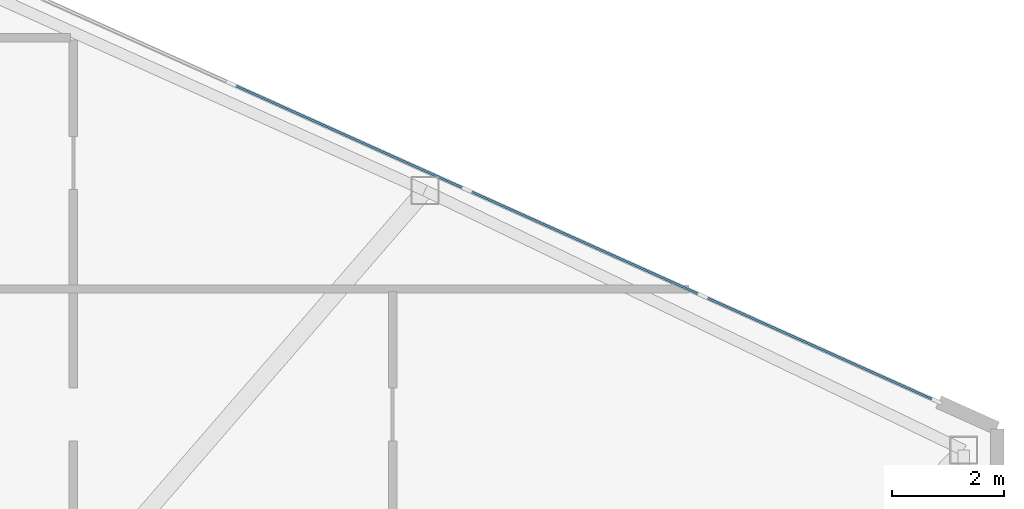
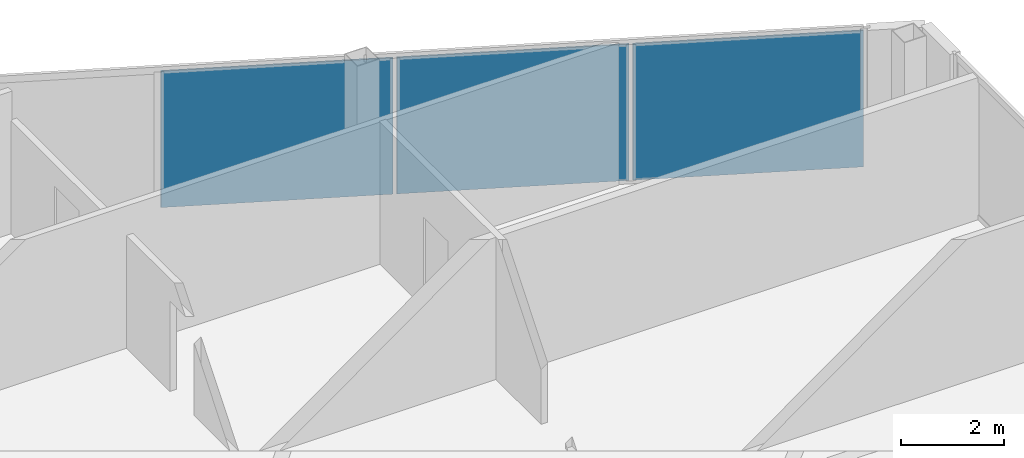
# One storey, part 18 of 27: 3 plates, 1 element without a shape of its own.
"""IFC4 building model written with IfcOpenShell, lengths in metres."""

from ifc_helpers import new_model, si_unit, direction, frame, origin, origin_2d, place, context, subcontext, project, spatial, rectangle, extrude, source, transform, mapped, material, layer, layer_set, type_object, type_shapes, element, aggregate, save


model = new_model("IFC4")

# Units and contexts
model_context = context("Model", 3, precision=1e-05, world=origin(), true_north=direction((0.0, 1.0)))
body_context = subcontext(model_context, "Body", "Model", "MODEL_VIEW")
ifc_project = project(units=[si_unit("LENGTHUNIT", "METRE"), si_unit("AREAUNIT", "SQUARE_METRE"), si_unit("VOLUMEUNIT", "CUBIC_METRE"), si_unit("PLANEANGLEUNIT", "RADIAN"), si_unit("MASSUNIT", "GRAM", prefix="KILO")], contexts=[model_context])

# Site, building, storey
site_placement = place(None, origin())
site = spatial("IfcSite", under=ifc_project, at=site_placement, CompositionType="ELEMENT")
building_placement = place(site_placement, origin())
building = spatial("IfcBuilding", under=site, at=building_placement, Name="Seokmaru Belvedere", CompositionType="ELEMENT")
storey_placement = place(building_placement, frame((0.0, 0.0, 69.300048828125)))
storey = spatial("IfcBuildingStorey", under=building, at=storey_placement, Name="L18", CompositionType="ELEMENT", Elevation=69.300048828125)

# Curtain wall, plates
ifc_material = material(Name="Bronze Triple Insulating Glass", Category="glass")
ifc_layer_1 = layer(ifc_material, 0.195068359375)
ifc_layer_set_1 = layer_set([ifc_layer_1], Name="Bronze Triple Insulating Glass")
curtain_wall_type = type_object("IfcCurtainWallType", Name="Lower-Mid Tapered Curtain Wall System CW-3", PredefinedType="NOTDEFINED", material=ifc_layer_set_1)
curtain_wall_placement = place(storey_placement, origin())
curtain_wall = element("IfcCurtainWall", 1, at=curtain_wall_placement, inside=storey, type_object=curtain_wall_type, Name="L18 Curtain Wall EF3", PredefinedType="NOTDEFINED")
ifc_layer_2 = layer(ifc_material, 0.035888671875)
ifc_layer_set_2 = layer_set([ifc_layer_2], Name="Bronze Triple Insulating Glass")
plate_type = type_object("IfcPlateType", Name="Bronze Triple Vision Glazing Panel 36", PredefinedType="CURTAIN_PANEL", material=ifc_layer_set_2)
shared_shape_1 = source(origin(), body_context, "Body", "SweptSolid", [
    extrude(rectangle(XDim=4.51318359375, YDim=0.035888671875, at=origin_2d()), origin(), (0.0, 0.0, 1.0), 3.239990234375),
])
plate_1_placement = place(storey_placement, frame((67.82958984375, 8.926513671875, 0.06982421875), z_axis=(0.0, 0.0, 1.0), x_axis=(-0.91192111353, 0.41036554765, 0.0)))
plate_1 = element("IfcPlate", 2, at=plate_1_placement, type_object=plate_type, Name="CW:L18:EF3 Glazing Panel 1-1", PredefinedType="CURTAIN_PANEL", context=body_context, shape_type="MappedRepresentation", body=[
    mapped(shared_shape_1, transform((0.0, 0.0, 0.0), scale=1.0)),
])
shared_shape_2 = source(origin(), body_context, "Body", "SweptSolid", [
    extrude(rectangle(XDim=4.548095703125, YDim=0.035888671875, at=origin_2d()), origin(), (0.0, 0.0, 1.0), 3.239990234375),
])
type_shapes(plate_type, [shared_shape_1, shared_shape_2])
plate_2_placement = place(storey_placement, frame((63.63427734375, 10.814697265625, 0.06982421875), z_axis=(0.0, 0.0, 1.0), x_axis=(-0.91192111353, 0.41036554765, 0.0)))
plate_2 = element("IfcPlate", 3, at=plate_2_placement, type_object=plate_type, Name="CW:L18:EF3 Glazing Panel 2-1", PredefinedType="CURTAIN_PANEL", context=body_context, shape_type="MappedRepresentation", body=[
    mapped(shared_shape_2, transform((0.0, 0.0, 0.0), scale=1.0)),
])
plate_3_placement = place(storey_placement, frame((59.4228515625, 12.709716796875, 0.06982421875), z_axis=(0.0, 0.0, 1.0), x_axis=(-0.91192111353, 0.41036554765, 0.0)))
plate_3 = element("IfcPlate", 4, at=plate_3_placement, type_object=plate_type, Name="CW:L18:EF3 Glazing Panel 3-1", PredefinedType="CURTAIN_PANEL", context=body_context, shape_type="MappedRepresentation", body=[
    mapped(shared_shape_2, transform((0.0, 0.0, 0.0), scale=1.0)),
])
aggregate(curtain_wall, [plate_1, plate_2, plate_3])

save(model, "model.ifc")
